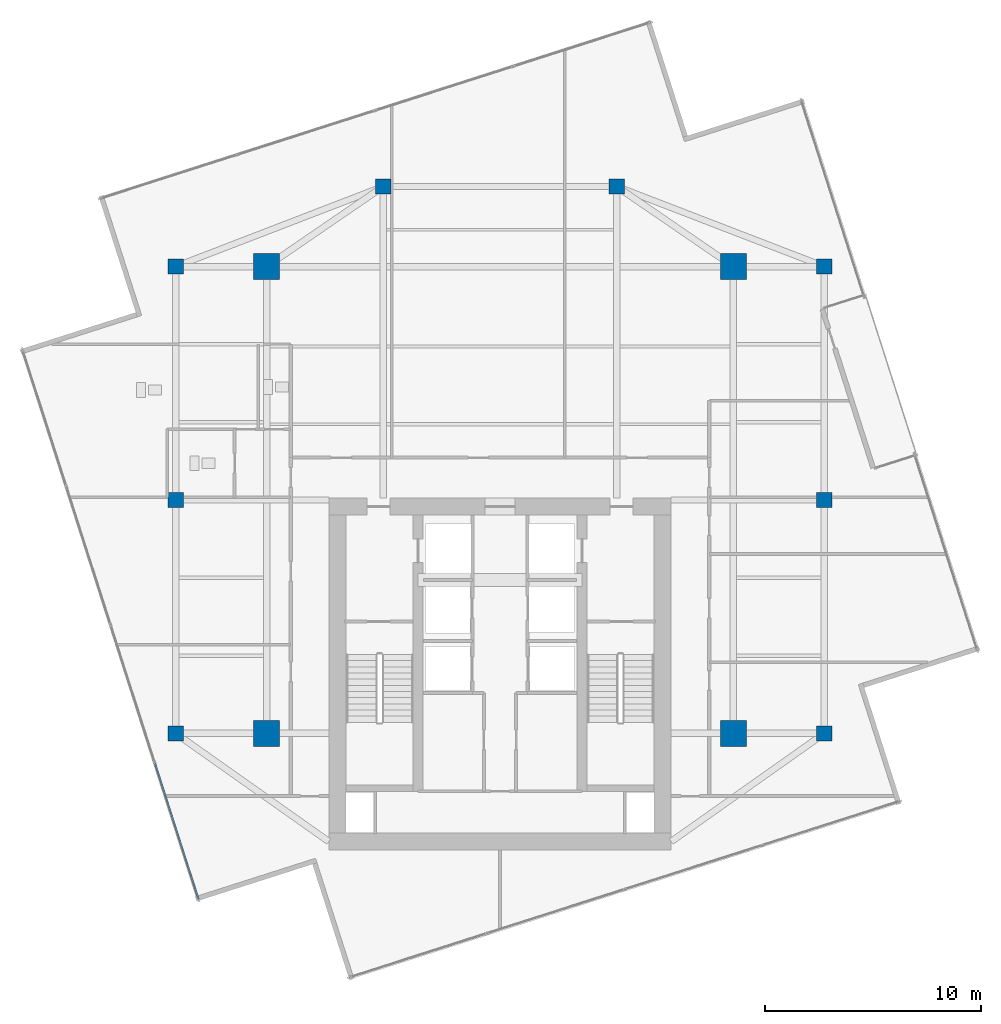
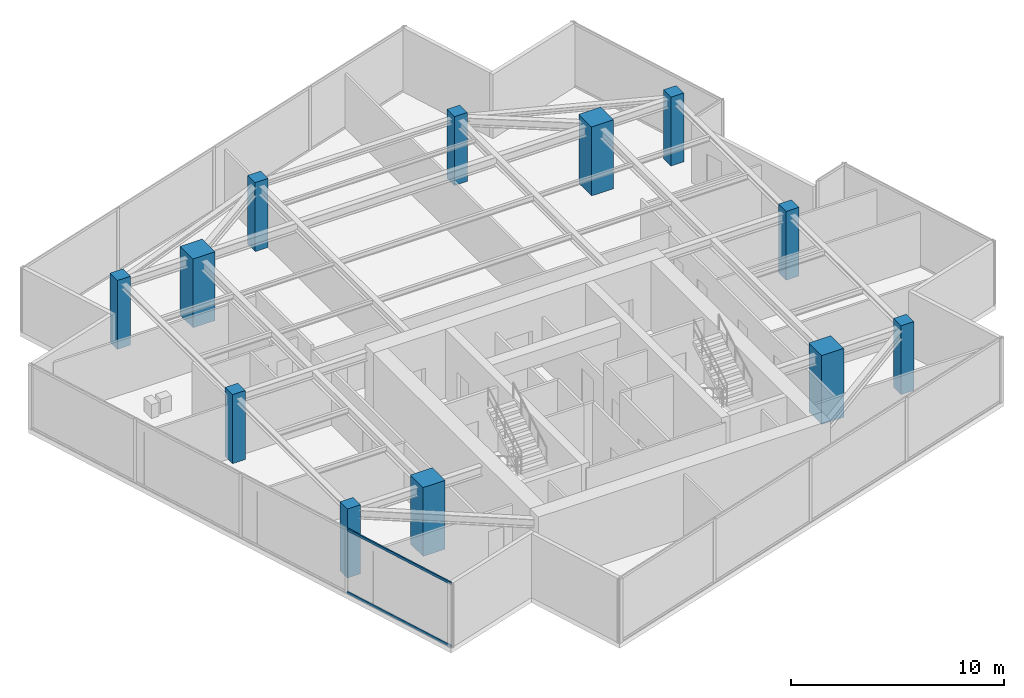
# One storey, part 1 of 21: 12 columns, 2 members, 1 element without a shape of its own.
"""IFC4 building model written with IfcOpenShell, lengths in metres."""

from ifc_helpers import new_model, si_unit, direction, frame, origin, origin_2d, place, context, subcontext, project, spatial, rectangle, hollow_rectangle, extrude, source, transform, mapped, material, material_profile, profile_set, type_object, type_shapes, element, aggregate, save


model = new_model("IFC4")

# Units and contexts
model_context = context("Model", 3, precision=1e-05, world=origin(), true_north=direction((0.0, 1.0)))
body_context = subcontext(model_context, "Body", "Model", "MODEL_VIEW")
ifc_project = project(units=[si_unit("LENGTHUNIT", "METRE"), si_unit("AREAUNIT", "SQUARE_METRE"), si_unit("VOLUMEUNIT", "CUBIC_METRE"), si_unit("PLANEANGLEUNIT", "RADIAN"), si_unit("MASSUNIT", "GRAM", prefix="KILO")], contexts=[model_context])

# Site, building, storey
site_placement = place(None, origin())
site = spatial("IfcSite", under=ifc_project, at=site_placement, CompositionType="ELEMENT")
building_placement = place(site_placement, origin())
building = spatial("IfcBuilding", under=site, at=building_placement, Name="Krantzveldt Concourse Tower", CompositionType="ELEMENT")
storey_placement = place(building_placement, frame((0.0, 0.0, 343.5)))
storey = spatial("IfcBuildingStorey", under=building, at=storey_placement, Name="L84", CompositionType="ELEMENT", Elevation=343.5)

# Columns
ifc_material_1 = material(Name="Concrete C50/60", Category="concrete")
ifc_material_profile_1 = material_profile(ifc_material_1, rectangle(XDim=1.199951171875, YDim=1.199951171875, at=origin_2d()), Name="Concrete C50/60", Category="concrete")
ifc_profile_set_1 = profile_set([ifc_material_profile_1], Name="Concrete C50/60 - RC 1200x1200")
column_type_1 = type_object("IfcColumnType", Name="COL-MC-1200", PredefinedType="USERDEFINED", material=ifc_profile_set_1)
shared_shape_1 = source(origin(), body_context, "Body", "SweptSolid", [
    extrude(rectangle(XDim=1.199951171875, YDim=1.199951171875, at=origin_2d()), origin(), (0.0, 0.0, 1.0), 3.949951171875),
])
type_shapes(column_type_1, [shared_shape_1])
for number, where, z_axis, x_axis, name in (
    (1, (25.199951171875, 15.89990234375, 0.0), (0.0, 0.0, 1.0), (1.0, 0.0, 0.0), "MC-SW-L84"),
    (2, (46.800048828125, 15.89990234375, 0.0), (0.0, 0.0, 1.0), (1.0, 0.0, 0.0), "MC-SE-L84"),
    (3, (46.800048828125, 37.5, 0.0), (0.0, 0.0, 1.0), (1.0, 0.0, 0.0), "MC-NE-L84"),
    (4, (25.199951171875, 37.5, 0.0), (0.0, 0.0, 1.0), (1.0, 0.0, 0.0), "MC-NW-L84"),
):
    element("IfcColumn", number, at=place(storey_placement, frame(where, z_axis=z_axis, x_axis=x_axis)), inside=storey, type_object=column_type_1, Name=name, ObjectType="MEGA COLUMN", PredefinedType="USERDEFINED", context=body_context, shape_type="MappedRepresentation", body=[
        mapped(shared_shape_1, transform((0.0, 0.0, 0.0), x_axis=(1.0, 0.0, 0.0), y_axis=(0.0, 1.0, 0.0), z_axis=(0.0, 0.0, 1.0), scale=1.0)),
    ])
ifc_material_profile_2 = material_profile(ifc_material_1, rectangle(XDim=0.699951171875, YDim=0.699951171875, at=origin_2d()), Name="Concrete C50/60", Category="concrete")
ifc_profile_set_2 = profile_set([ifc_material_profile_2], Name="Concrete C50/60 - RC 700x700")
column_type_2 = type_object("IfcColumnType", Name="COL-C-Z6", PredefinedType="COLUMN", material=ifc_profile_set_2)
shared_shape_2 = source(origin(), body_context, "Body", "SweptSolid", [
    extrude(rectangle(XDim=0.699951171875, YDim=0.699951171875, at=origin_2d()), origin(), (0.0, 0.0, 1.0), 3.949951171875),
])
type_shapes(column_type_2, [shared_shape_2])
for number, where, z_axis, x_axis, name in (
    (5, (21.0, 15.89990234375, 0.0), (0.0, 0.0, 1.0), (1.0, 0.0, 0.0), "PC-R01-L84"),
    (6, (21.0, 26.699951171875, 0.0), (0.0, 0.0, 1.0), (1.0, 0.0, 0.0), "PC-R02-L84"),
    (7, (21.0, 37.5, 0.0), (0.0, 0.0, 1.0), (1.0, 0.0, 0.0), "PC-R03-L84"),
    (8, (30.60009765625, 41.199951171875, 0.0), (0.0, 0.0, 1.0), (1.0, 0.0, 0.0), "PC-R04-L84"),
    (9, (41.39990234375, 41.199951171875, 0.0), (0.0, 0.0, 1.0), (1.0, 0.0, 0.0), "PC-R05-L84"),
    (10, (51.0, 37.5, 0.0), (0.0, 0.0, 1.0), (1.0, 0.0, 0.0), "PC-R06-L84"),
    (11, (51.0, 26.699951171875, 0.0), (0.0, 0.0, 1.0), (1.0, 0.0, 0.0), "PC-R07-L84"),
    (12, (51.0, 15.89990234375, 0.0), (0.0, 0.0, 1.0), (1.0, 0.0, 0.0), "PC-R08-L84"),
):
    element("IfcColumn", number, at=place(storey_placement, frame(where, z_axis=z_axis, x_axis=x_axis)), inside=storey, type_object=column_type_2, Name=name, PredefinedType="COLUMN", context=body_context, shape_type="MappedRepresentation", body=[
        mapped(shared_shape_2, transform((0.0, 0.0, 0.0), x_axis=(1.0, 0.0, 0.0), y_axis=(0.0, 1.0, 0.0), z_axis=(0.0, 0.0, 1.0), scale=1.0)),
    ])

# Curtain wall, members
ifc_material_2 = material(Name="Anodised aluminium 6063-T6", Category="aluminium")
curtain_wall_type = type_object("IfcCurtainWallType", Name="CW4", PredefinedType="USERDEFINED", material=ifc_material_2)
curtain_wall_placement = place(storey_placement, origin())
curtain_wall = element("IfcCurtainWall", 13, at=curtain_wall_placement, inside=storey, type_object=curtain_wall_type, Name="CW-L84-F04", ObjectType="UNITISED CURTAIN WALL", PredefinedType="USERDEFINED")
ifc_material_profile_3 = material_profile(ifc_material_2, hollow_rectangle(XDim=0.070068359375, YDim=0.139892578125, WallThickness=0.0048828125, at=origin_2d()), Name="Anodised aluminium 6063-T6", Category="aluminium")
ifc_profile_set_3 = profile_set([ifc_material_profile_3], Name="Anodised aluminium 6063-T6 - ALU-TRAN 140x70x5")
member_type = type_object("IfcMemberType", Name="CW-TRN-150", PredefinedType="USERDEFINED", material=ifc_profile_set_3)
shared_shape_3 = source(origin(), body_context, "Body", "SweptSolid", [
    extrude(hollow_rectangle(XDim=0.070068359375, YDim=0.139892578125, WallThickness=0.0048828125, at=origin_2d()), origin(), (0.0, 0.0, 1.0), 6.594970703125),
])
type_shapes(member_type, [shared_shape_3])
member_1_placement = place(storey_placement, frame((20.04345703125, 14.5205078125, 0.034912109375), z_axis=(0.304854976635, -0.952398783715, 0.0), x_axis=(0.952398783715, 0.304854976635, 0.0)))
member_1 = element("IfcMember", 14, at=member_1_placement, type_object=member_type, Name="CW-Z56 transom 4.1", ObjectType="TRANSOM", PredefinedType="USERDEFINED", context=body_context, shape_type="MappedRepresentation", body=[
    mapped(shared_shape_3, transform((0.0, 0.0, 0.0), x_axis=(1.0, 0.0, 0.0), y_axis=(0.0, 1.0, 0.0), z_axis=(0.0, 0.0, 1.0), scale=1.0)),
])
member_2_placement = place(storey_placement, frame((20.04345703125, 14.5205078125, 3.635009765625), z_axis=(0.304854976635, -0.952398783715, 0.0), x_axis=(0.952398783715, 0.304854976635, 0.0)))
member_2 = element("IfcMember", 15, at=member_2_placement, type_object=member_type, Name="CW-Z56 transom 4.2", ObjectType="TRANSOM", PredefinedType="USERDEFINED", context=body_context, shape_type="MappedRepresentation", body=[
    mapped(shared_shape_3, transform((0.0, 0.0, 0.0), x_axis=(1.0, 0.0, 0.0), y_axis=(0.0, 1.0, 0.0), z_axis=(0.0, 0.0, 1.0), scale=1.0)),
])
aggregate(curtain_wall, [member_1, member_2])

save(model, "model.ifc")
